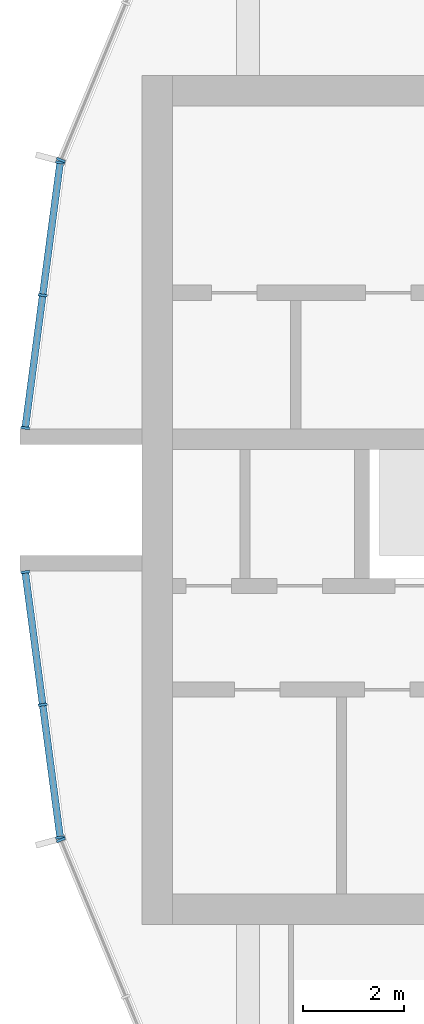
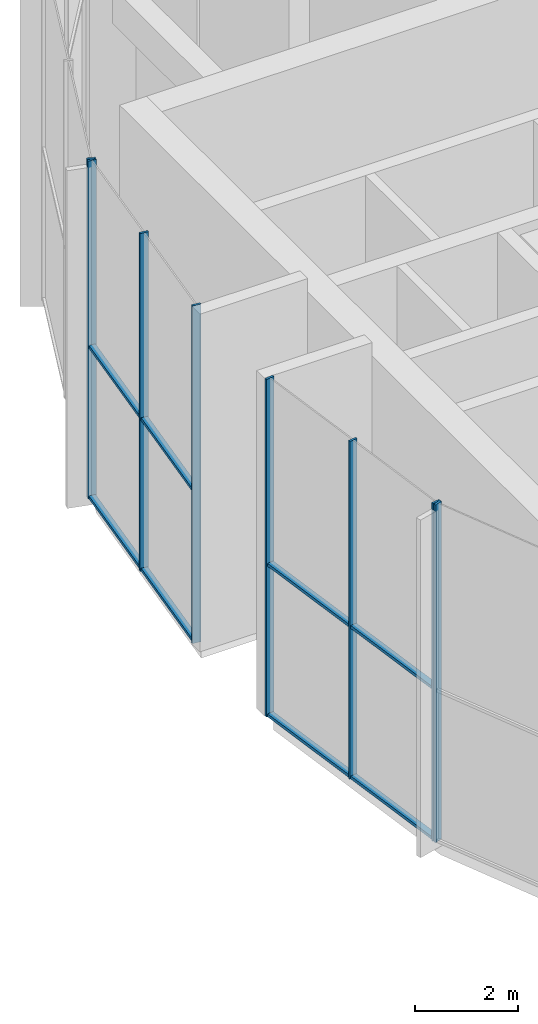
# One storey, part 4 of 18: 16 members, 4 elements without a shape of their own.
"""IFC4 building model written with IfcOpenShell, lengths in metres."""

from ifc_helpers import new_model, si_unit, direction, frame, origin, origin_2d, place, context, subcontext, project, spatial, rectangle, extrude, material, layer, layer_set, material_profile, profile_set, type_object, element, aggregate, save


model = new_model("IFC4")

# Units and contexts
model_context = context("Model", 3, precision=1e-05, world=origin(), true_north=direction((0.0, 1.0)))
body_context = subcontext(model_context, "Body", "Model", "MODEL_VIEW")
ifc_project = project(units=[si_unit("LENGTHUNIT", "METRE"), si_unit("AREAUNIT", "SQUARE_METRE"), si_unit("VOLUMEUNIT", "CUBIC_METRE"), si_unit("PLANEANGLEUNIT", "RADIAN"), si_unit("MASSUNIT", "GRAM", prefix="KILO")], contexts=[model_context])

# Site, building, storey
site_placement = place(None, origin())
site = spatial("IfcSite", under=ifc_project, at=site_placement, CompositionType="ELEMENT")
building_placement = place(site_placement, origin())
building = spatial("IfcBuilding", under=site, at=building_placement, Name="Torre Brocal", CompositionType="ELEMENT")
storey_placement = place(building_placement, frame((0.0, 0.0, 229.300048828125)))
storey = spatial("IfcBuildingStorey", under=building, at=storey_placement, Name="L53", CompositionType="ELEMENT", Elevation=229.300048828125)

# Curtain wall, member
ifc_material_1 = material(Name="Aluminium and glass", Category="aluminium")
ifc_layer = layer(ifc_material_1, 0.199951171875)
ifc_layer_set = layer_set([ifc_layer], Name="Aluminium and glass")
curtain_wall_type = type_object("IfcCurtainWallType", Name="CW-4 CURTAIN WALL 8000 HIGH", PredefinedType="NOTDEFINED", material=ifc_layer_set)
curtain_wall_1_placement = place(storey_placement, origin())
curtain_wall_1 = element("IfcCurtainWall", 1, at=curtain_wall_1_placement, inside=storey, type_object=curtain_wall_type, Name="CW-4 RUN 11", PredefinedType="NOTDEFINED")
ifc_material_2 = material(Name="Aluminium, dark anodised", Category="aluminium")
ifc_material_profile_1 = material_profile(ifc_material_2, rectangle(XDim=0.179931640625, YDim=0.050048828125, at=origin_2d()), Name="CW-4 MULLION 50X180")
ifc_profile_set_1 = profile_set([ifc_material_profile_1], Name="Aluminium, dark anodised")
member_type_1 = type_object("IfcMemberType", Name="CW-4 MULLION 50X180", PredefinedType="MULLION", material=ifc_profile_set_1)
member_1_placement = place(storey_placement, frame((54.992919921875, 81.726318359375, 0.0), z_axis=(0.0, 0.0, 1.0), x_axis=(0.923879532525, -0.382683432333, 0.0)))
member_1 = element("IfcMember", 2, at=member_1_placement, type_object=member_type_1, Name="CW4-1 mullion 3", PredefinedType="MULLION", context=body_context, shape_type="SweptSolid", body=[
    extrude(rectangle(XDim=0.179931640625, YDim=0.050048828125, at=origin_2d()), origin(), (0.0, 0.0, 1.0), 8.0),
])
aggregate(curtain_wall_1, [member_1])

# Curtain wall, members
curtain_wall_2_placement = place(storey_placement, origin())
curtain_wall_2 = element("IfcCurtainWall", 3, at=curtain_wall_2_placement, inside=storey, type_object=curtain_wall_type, Name="CW-4 RUN 12", PredefinedType="NOTDEFINED")
member_2_placement = place(storey_placement, frame((54.97998046875, 81.678466796875, 0.0), z_axis=(0.0, 0.0, 1.0), x_axis=(0.991444861374, -0.13052619222, 0.0)))
member_2 = element("IfcMember", 4, at=member_2_placement, type_object=member_type_1, Name="CW4-1 mullion 1", PredefinedType="MULLION", context=body_context, shape_type="SweptSolid", body=[
    extrude(rectangle(XDim=0.179931640625, YDim=0.050048828125, at=origin_2d()), origin(), (0.0, 0.0, 1.0), 8.0),
])
member_3_placement = place(storey_placement, frame((54.63427734375, 79.051513671875, 0.0), z_axis=(0.0, 0.0, 1.0), x_axis=(0.991444861374, -0.13052619222, 0.0)))
member_3 = element("IfcMember", 5, at=member_3_placement, type_object=member_type_1, Name="CW4-1 mullion 2", PredefinedType="MULLION", context=body_context, shape_type="SweptSolid", body=[
    extrude(rectangle(XDim=0.179931640625, YDim=0.050048828125, at=origin_2d()), origin(), (0.0, 0.0, 1.0), 8.0),
])
member_4_placement = place(storey_placement, frame((54.288330078125, 76.4248046875, 0.0), z_axis=(0.0, 0.0, 1.0), x_axis=(0.991444861374, -0.13052619222, 0.0)))
member_4 = element("IfcMember", 6, at=member_4_placement, type_object=member_type_1, Name="CW4-1 mullion 3", PredefinedType="MULLION", context=body_context, shape_type="SweptSolid", body=[
    extrude(rectangle(XDim=0.179931640625, YDim=0.050048828125, at=origin_2d()), origin(), (0.0, 0.0, 1.0), 8.0),
])

curtain_wall_3_placement = place(storey_placement, origin())
curtain_wall_3 = element("IfcCurtainWall", 7, at=curtain_wall_3_placement, inside=storey, type_object=curtain_wall_type, Name="CW-4 RUN 13", PredefinedType="NOTDEFINED")
member_5_placement = place(storey_placement, frame((54.288330078125, 73.5751953125, 0.0), z_axis=(0.0, 0.0, 1.0), x_axis=(0.991444861374, 0.13052619222, 0.0)))
member_5 = element("IfcMember", 8, at=member_5_placement, type_object=member_type_1, Name="CW4-1 mullion 1", PredefinedType="MULLION", context=body_context, shape_type="SweptSolid", body=[
    extrude(rectangle(XDim=0.179931640625, YDim=0.050048828125, at=origin_2d()), origin(), (0.0, 0.0, 1.0), 8.0),
])
member_6_placement = place(storey_placement, frame((54.63427734375, 70.948486328125, 0.0), z_axis=(0.0, 0.0, 1.0), x_axis=(0.991444861374, 0.13052619222, 0.0)))
member_6 = element("IfcMember", 9, at=member_6_placement, type_object=member_type_1, Name="CW4-1 mullion 2", PredefinedType="MULLION", context=body_context, shape_type="SweptSolid", body=[
    extrude(rectangle(XDim=0.179931640625, YDim=0.050048828125, at=origin_2d()), origin(), (0.0, 0.0, 1.0), 8.0),
])
member_7_placement = place(storey_placement, frame((54.97998046875, 68.321533203125, 0.0), z_axis=(0.0, 0.0, 1.0), x_axis=(0.991444861374, 0.13052619222, 0.0)))
member_7 = element("IfcMember", 10, at=member_7_placement, type_object=member_type_1, Name="CW4-1 mullion 3", PredefinedType="MULLION", context=body_context, shape_type="SweptSolid", body=[
    extrude(rectangle(XDim=0.179931640625, YDim=0.050048828125, at=origin_2d()), origin(), (0.0, 0.0, 1.0), 8.0),
])

# Curtain wall, member
curtain_wall_4_placement = place(storey_placement, origin())
curtain_wall_4 = element("IfcCurtainWall", 11, at=curtain_wall_4_placement, inside=storey, type_object=curtain_wall_type, Name="CW-4 RUN 14", PredefinedType="NOTDEFINED")
member_8_placement = place(storey_placement, frame((54.992919921875, 68.273681640625, 0.0), z_axis=(0.0, 0.0, 1.0), x_axis=(0.923879532525, 0.382683432333, 0.0)))
member_8 = element("IfcMember", 12, at=member_8_placement, type_object=member_type_1, Name="CW4-1 mullion 1", PredefinedType="MULLION", context=body_context, shape_type="SweptSolid", body=[
    extrude(rectangle(XDim=0.179931640625, YDim=0.050048828125, at=origin_2d()), origin(), (0.0, 0.0, 1.0), 8.0),
])
aggregate(curtain_wall_4, [member_8])

# Member
ifc_material_3 = material(Name="Aluminium, dark anodised", Category="aluminium")
ifc_material_profile_2 = material_profile(ifc_material_3, rectangle(XDim=0.139892578125, YDim=0.070068359375, at=origin_2d()), Name="CW-4 TRANSOM 140X70")
ifc_profile_set_2 = profile_set([ifc_material_profile_2], Name="Aluminium, dark anodised")
member_type_2 = type_object("IfcMemberType", Name="CW-4 TRANSOM 140X70", PredefinedType="USERDEFINED", material=ifc_profile_set_2)
member_9_placement = place(storey_placement, frame((54.976806640625, 81.653564453125, 0.034912109375), z_axis=(-0.130551694767, -0.991441503566, 0.0), x_axis=(0.991441503566, -0.130551694767, 0.0)))
member_9 = element("IfcMember", 13, at=member_9_placement, type_object=member_type_2, Name="CW4-1 transom 1.1", ObjectType="TRANSOM", PredefinedType="USERDEFINED", context=body_context, shape_type="SweptSolid", body=[
    extrude(rectangle(XDim=0.139892578125, YDim=0.070068359375, at=origin_2d()), origin(), (0.0, 0.0, 1.0), 2.599365234375),
])

member_10_placement = place(storey_placement, frame((54.976806640625, 81.653564453125, 3.599853515625), z_axis=(-0.130551694767, -0.991441503566, 0.0), x_axis=(0.991441503566, -0.130551694767, 0.0)))
member_10 = element("IfcMember", 14, at=member_10_placement, type_object=member_type_2, Name="CW4-1 transom 1.2", ObjectType="TRANSOM", PredefinedType="USERDEFINED", context=body_context, shape_type="SweptSolid", body=[
    extrude(rectangle(XDim=0.139892578125, YDim=0.070068359375, at=origin_2d()), origin(), (0.0, 0.0, 1.0), 2.599365234375),
])

member_11_placement = place(storey_placement, frame((54.631103515625, 79.02685546875, 0.034912109375), z_axis=(-0.130539539143, -0.991443104127, 0.0), x_axis=(0.991443104127, -0.130539539143, 0.0)))
member_11 = element("IfcMember", 15, at=member_11_placement, type_object=member_type_2, Name="CW4-1 transom 2.1", ObjectType="TRANSOM", PredefinedType="USERDEFINED", context=body_context, shape_type="SweptSolid", body=[
    extrude(rectangle(XDim=0.139892578125, YDim=0.070068359375, at=origin_2d()), origin(), (0.0, 0.0, 1.0), 2.599609375),
])

member_12_placement = place(storey_placement, frame((54.631103515625, 79.02685546875, 3.599853515625), z_axis=(-0.130539539143, -0.991443104127, 0.0), x_axis=(0.991443104127, -0.130539539143, 0.0)))
member_12 = element("IfcMember", 16, at=member_12_placement, type_object=member_type_2, Name="CW4-1 transom 2.2", ObjectType="TRANSOM", PredefinedType="USERDEFINED", context=body_context, shape_type="SweptSolid", body=[
    extrude(rectangle(XDim=0.139892578125, YDim=0.070068359375, at=origin_2d()), origin(), (0.0, 0.0, 1.0), 2.599609375),
])

aggregate(curtain_wall_2, [member_2, member_3, member_4, member_9, member_10, member_11, member_12])

member_13_placement = place(storey_placement, frame((54.291748046875, 73.550537109375, 0.034912109375), z_axis=(0.130539539143, -0.991443104127, 0.0), x_axis=(0.991443104127, 0.130539539143, 0.0)))
member_13 = element("IfcMember", 17, at=member_13_placement, type_object=member_type_2, Name="CW4-1 transom 1.1", ObjectType="TRANSOM", PredefinedType="USERDEFINED", context=body_context, shape_type="SweptSolid", body=[
    extrude(rectangle(XDim=0.139892578125, YDim=0.070068359375, at=origin_2d()), origin(), (0.0, 0.0, 1.0), 2.599609375),
])

member_14_placement = place(storey_placement, frame((54.291748046875, 73.550537109375, 3.599853515625), z_axis=(0.130539539143, -0.991443104127, 0.0), x_axis=(0.991443104127, 0.130539539143, 0.0)))
member_14 = element("IfcMember", 18, at=member_14_placement, type_object=member_type_2, Name="CW4-1 transom 1.2", ObjectType="TRANSOM", PredefinedType="USERDEFINED", context=body_context, shape_type="SweptSolid", body=[
    extrude(rectangle(XDim=0.139892578125, YDim=0.070068359375, at=origin_2d()), origin(), (0.0, 0.0, 1.0), 2.599609375),
])

member_15_placement = place(storey_placement, frame((54.637451171875, 70.923583984375, 0.034912109375), z_axis=(0.130551694767, -0.991441503566, 0.0), x_axis=(0.991441503566, 0.130551694767, 0.0)))
member_15 = element("IfcMember", 19, at=member_15_placement, type_object=member_type_2, Name="CW4-1 transom 2.1", ObjectType="TRANSOM", PredefinedType="USERDEFINED", context=body_context, shape_type="SweptSolid", body=[
    extrude(rectangle(XDim=0.139892578125, YDim=0.070068359375, at=origin_2d()), origin(), (0.0, 0.0, 1.0), 2.599365234375),
])

member_16_placement = place(storey_placement, frame((54.637451171875, 70.923583984375, 3.599853515625), z_axis=(0.130551694767, -0.991441503566, 0.0), x_axis=(0.991441503566, 0.130551694767, 0.0)))
member_16 = element("IfcMember", 20, at=member_16_placement, type_object=member_type_2, Name="CW4-1 transom 2.2", ObjectType="TRANSOM", PredefinedType="USERDEFINED", context=body_context, shape_type="SweptSolid", body=[
    extrude(rectangle(XDim=0.139892578125, YDim=0.070068359375, at=origin_2d()), origin(), (0.0, 0.0, 1.0), 2.599365234375),
])

aggregate(curtain_wall_3, [member_5, member_6, member_7, member_13, member_14, member_15, member_16])

save(model, "model.ifc")
